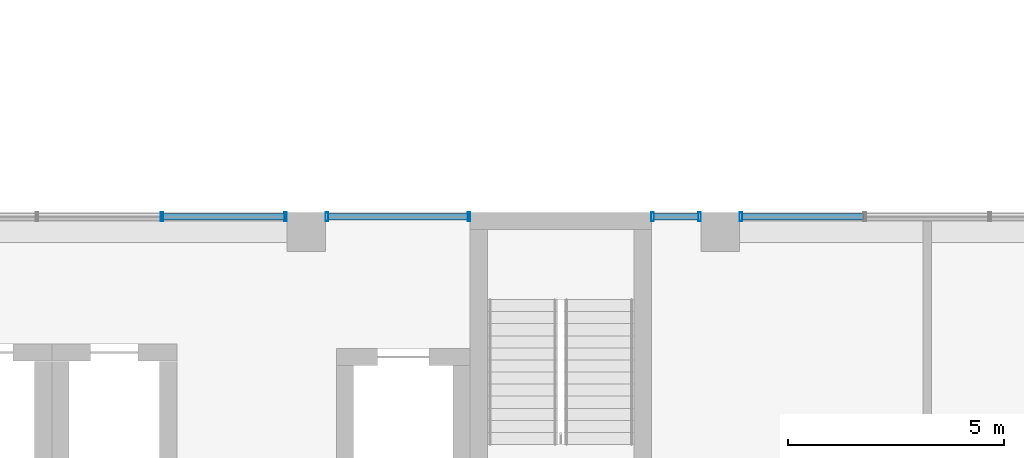
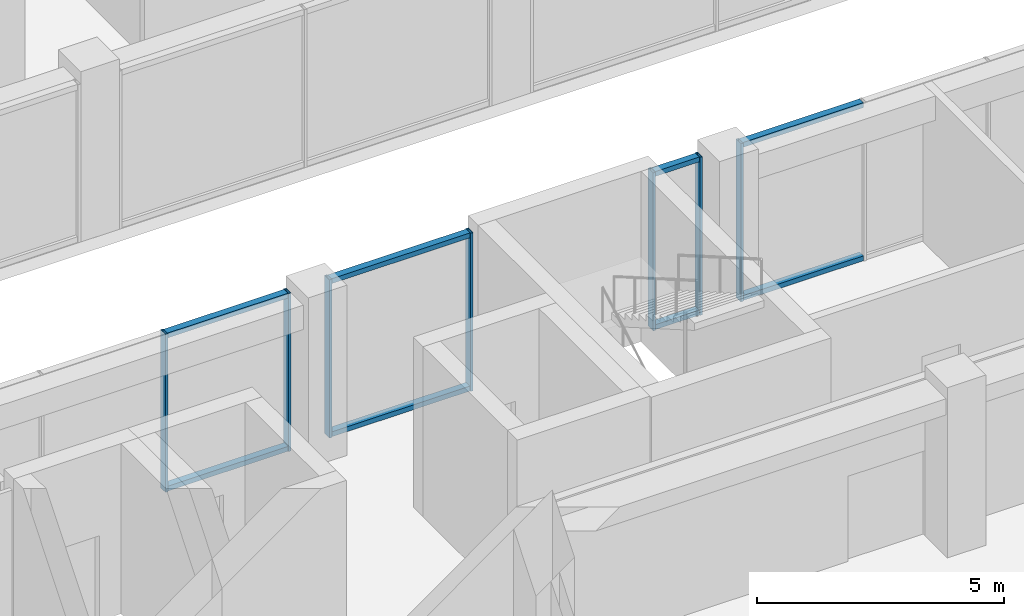
# One storey, part 9 of 37: 15 members, 4 elements without a shape of their own.
"""IFC4 building model written with IfcOpenShell, lengths in metres."""

from ifc_helpers import new_model, si_unit, direction, frame, origin, origin_2d, place, context, subcontext, project, spatial, hollow_rectangle, extrude, material, layer, layer_set, material_profile, profile_set, type_object, element, aggregate, save


model = new_model("IFC4")

# Units and contexts
model_context = context("Model", 3, precision=1e-05, world=origin(), true_north=direction((0.0, 1.0)))
body_context = subcontext(model_context, "Body", "Model", "MODEL_VIEW")
ifc_project = project(units=[si_unit("LENGTHUNIT", "METRE"), si_unit("AREAUNIT", "SQUARE_METRE"), si_unit("VOLUMEUNIT", "CUBIC_METRE"), si_unit("PLANEANGLEUNIT", "RADIAN"), si_unit("MASSUNIT", "GRAM", prefix="KILO")], contexts=[model_context])

# Site, building, storey
site_placement = place(None, origin())
site = spatial("IfcSite", under=ifc_project, at=site_placement, CompositionType="ELEMENT")
building_placement = place(site_placement, origin())
building = spatial("IfcBuilding", under=site, at=building_placement, Name="Nzadi Deep Aquarium and Research Tower", CompositionType="ELEMENT")
storey_placement = place(building_placement, frame((0.0, 0.0, 57.10009765625)))
storey = spatial("IfcBuildingStorey", under=building, at=storey_placement, Name="L11", CompositionType="ELEMENT", Elevation=57.10009765625)

# Curtain wall, members
ifc_material_1 = material(Name="Aluminium unitised frame", Category="aluminium")
ifc_layer = layer(ifc_material_1, 0.199951171875)
ifc_layer_set = layer_set([ifc_layer], Name="Aluminium unitised frame")
curtain_wall_type = type_object("IfcCurtainWallType", Name="Curtain wall Unitised 200", PredefinedType="NOTDEFINED", material=ifc_layer_set)
curtain_wall_1_placement = place(storey_placement, origin())
curtain_wall_1 = element("IfcCurtainWall", 1, at=curtain_wall_1_placement, inside=storey, type_object=curtain_wall_type, Name="Unitised curtain wall blade A north L11", PredefinedType="NOTDEFINED")
ifc_material_2 = material(Name="Aluminium unitised frame", Category="aluminium")
ifc_material_profile_1 = material_profile(ifc_material_2, hollow_rectangle(XDim=0.199951171875, YDim=0.06005859375, WallThickness=0.0048828125, at=origin_2d()))
ifc_profile_set_1 = profile_set([ifc_material_profile_1], Name="Aluminium unitised frame")
member_type_1 = type_object("IfcMemberType", Name="Mullion 60x200 Unitised", PredefinedType="MULLION", material=ifc_profile_set_1)
member_1_placement = place(storey_placement, frame((15.85009765625, 18.75, 0.0), z_axis=(0.0, 0.0, 1.0), x_axis=(0.0, 1.0, 0.0)))
member_1 = element("IfcMember", 2, at=member_1_placement, type_object=member_type_1, Name="CW045 mullion 3", PredefinedType="MULLION", context=body_context, shape_type="SweptSolid", body=[
    extrude(hollow_rectangle(XDim=0.199951171875, YDim=0.06005859375, WallThickness=0.0048828125, at=origin_2d()), origin(), (0.0, 0.0, 1.0), 3.89990234375),
])
member_2_placement = place(storey_placement, frame((18.719970703125, 18.75, 0.0), z_axis=(0.0, 0.0, 1.0), x_axis=(0.0, 1.0, 0.0)))
member_2 = element("IfcMember", 3, at=member_2_placement, type_object=member_type_1, Name="CW045 mullion 4", PredefinedType="MULLION", context=body_context, shape_type="SweptSolid", body=[
    extrude(hollow_rectangle(XDim=0.199951171875, YDim=0.06005859375, WallThickness=0.0048828125, at=origin_2d()), origin(), (0.0, 0.0, 1.0), 3.89990234375),
])

curtain_wall_2_placement = place(storey_placement, origin())
curtain_wall_2 = element("IfcCurtainWall", 4, at=curtain_wall_2_placement, inside=storey, type_object=curtain_wall_type, Name="Unitised curtain wall blade A north L11", PredefinedType="NOTDEFINED")
member_3_placement = place(storey_placement, frame((19.679931640625, 18.75, 0.0), z_axis=(0.0, 0.0, 1.0), x_axis=(0.0, 1.0, 0.0)))
member_3 = element("IfcMember", 5, at=member_3_placement, type_object=member_type_1, Name="CW046 mullion 1", PredefinedType="MULLION", context=body_context, shape_type="SweptSolid", body=[
    extrude(hollow_rectangle(XDim=0.199951171875, YDim=0.06005859375, WallThickness=0.0048828125, at=origin_2d()), origin(), (0.0, 0.0, 1.0), 3.89990234375),
])
member_4_placement = place(storey_placement, frame((22.969970703125, 18.75, 0.0), z_axis=(0.0, 0.0, 1.0), x_axis=(0.0, 1.0, 0.0)))
member_4 = element("IfcMember", 6, at=member_4_placement, type_object=member_type_1, Name="CW046 mullion 2", PredefinedType="MULLION", context=body_context, shape_type="SweptSolid", body=[
    extrude(hollow_rectangle(XDim=0.199951171875, YDim=0.06005859375, WallThickness=0.0048828125, at=origin_2d()), origin(), (0.0, 0.0, 1.0), 3.89990234375),
])

curtain_wall_3_placement = place(storey_placement, origin())
curtain_wall_3 = element("IfcCurtainWall", 7, at=curtain_wall_3_placement, inside=storey, type_object=curtain_wall_type, Name="Unitised curtain wall blade A north L11", PredefinedType="NOTDEFINED")
member_5_placement = place(storey_placement, frame((27.22998046875, 18.75, 0.0), z_axis=(0.0, 0.0, 1.0), x_axis=(0.0, 1.0, 0.0)))
member_5 = element("IfcMember", 8, at=member_5_placement, type_object=member_type_1, Name="CW047 mullion 1", PredefinedType="MULLION", context=body_context, shape_type="SweptSolid", body=[
    extrude(hollow_rectangle(XDim=0.199951171875, YDim=0.06005859375, WallThickness=0.0048828125, at=origin_2d()), origin(), (0.0, 0.0, 1.0), 3.89990234375),
])
member_6_placement = place(storey_placement, frame((28.320068359375, 18.75, 0.0), z_axis=(0.0, 0.0, 1.0), x_axis=(0.0, 1.0, 0.0)))
member_6 = element("IfcMember", 9, at=member_6_placement, type_object=member_type_1, Name="CW047 mullion 2", PredefinedType="MULLION", context=body_context, shape_type="SweptSolid", body=[
    extrude(hollow_rectangle(XDim=0.199951171875, YDim=0.06005859375, WallThickness=0.0048828125, at=origin_2d()), origin(), (0.0, 0.0, 1.0), 3.89990234375),
])

# Curtain wall, member
curtain_wall_4_placement = place(storey_placement, origin())
curtain_wall_4 = element("IfcCurtainWall", 10, at=curtain_wall_4_placement, inside=storey, type_object=curtain_wall_type, Name="Unitised curtain wall blade A north L11", PredefinedType="NOTDEFINED")
member_7_placement = place(storey_placement, frame((29.280029296875, 18.75, 0.0), z_axis=(0.0, 0.0, 1.0), x_axis=(0.0, 1.0, 0.0)))
member_7 = element("IfcMember", 11, at=member_7_placement, type_object=member_type_1, Name="CW048 mullion 1", PredefinedType="MULLION", context=body_context, shape_type="SweptSolid", body=[
    extrude(hollow_rectangle(XDim=0.199951171875, YDim=0.06005859375, WallThickness=0.0048828125, at=origin_2d()), origin(), (0.0, 0.0, 1.0), 3.89990234375),
])

# Member
ifc_material_3 = material(Name="Aluminium unitised frame", Category="aluminium")
ifc_material_profile_2 = material_profile(ifc_material_3, hollow_rectangle(XDim=0.159912109375, YDim=0.1201171875, WallThickness=0.0048828125, at=origin_2d()))
ifc_profile_set_2 = profile_set([ifc_material_profile_2], Name="Aluminium unitised frame")
member_type_2 = type_object("IfcMemberType", Name="Transom 120x160 Unitised", PredefinedType="MULLION", material=ifc_profile_set_2)
member_8_placement = place(storey_placement, frame((15.8798828125, 18.75, 0.059814453125), z_axis=(1.0, 0.0, 0.0), x_axis=(0.0, 1.0, 0.0)))
member_8 = element("IfcMember", 12, at=member_8_placement, type_object=member_type_2, Name="CW045 transom 3.1", PredefinedType="MULLION", context=body_context, shape_type="SweptSolid", body=[
    extrude(hollow_rectangle(XDim=0.159912109375, YDim=0.1201171875, WallThickness=0.0048828125, at=origin_2d()), origin(), (0.0, 0.0, 1.0), 2.81005859375),
])

member_9_placement = place(storey_placement, frame((15.8798828125, 18.75, 3.83984375), z_axis=(1.0, 0.0, 0.0), x_axis=(0.0, 1.0, 0.0)))
member_9 = element("IfcMember", 13, at=member_9_placement, type_object=member_type_2, Name="CW045 transom 3.2", PredefinedType="MULLION", context=body_context, shape_type="SweptSolid", body=[
    extrude(hollow_rectangle(XDim=0.159912109375, YDim=0.1201171875, WallThickness=0.0048828125, at=origin_2d()), origin(), (0.0, 0.0, 1.0), 2.81005859375),
])

aggregate(curtain_wall_1, [member_1, member_2, member_8, member_9])

member_10_placement = place(storey_placement, frame((19.7099609375, 18.75, 0.059814453125), z_axis=(1.0, 0.0, 0.0), x_axis=(0.0, 1.0, 0.0)))
member_10 = element("IfcMember", 14, at=member_10_placement, type_object=member_type_2, Name="CW046 transom 1.1", PredefinedType="MULLION", context=body_context, shape_type="SweptSolid", body=[
    extrude(hollow_rectangle(XDim=0.159912109375, YDim=0.1201171875, WallThickness=0.0048828125, at=origin_2d()), origin(), (0.0, 0.0, 1.0), 3.22998046875),
])

member_11_placement = place(storey_placement, frame((19.7099609375, 18.75, 3.83984375), z_axis=(1.0, 0.0, 0.0), x_axis=(0.0, 1.0, 0.0)))
member_11 = element("IfcMember", 15, at=member_11_placement, type_object=member_type_2, Name="CW046 transom 1.2", PredefinedType="MULLION", context=body_context, shape_type="SweptSolid", body=[
    extrude(hollow_rectangle(XDim=0.159912109375, YDim=0.1201171875, WallThickness=0.0048828125, at=origin_2d()), origin(), (0.0, 0.0, 1.0), 3.22998046875),
])

aggregate(curtain_wall_2, [member_3, member_4, member_10, member_11])

member_12_placement = place(storey_placement, frame((27.260009765625, 18.75, 0.059814453125), z_axis=(1.0, 0.0, 0.0), x_axis=(0.0, 1.0, 0.0)))
member_12 = element("IfcMember", 16, at=member_12_placement, type_object=member_type_2, Name="CW047 transom 1.1", PredefinedType="MULLION", context=body_context, shape_type="SweptSolid", body=[
    extrude(hollow_rectangle(XDim=0.159912109375, YDim=0.1201171875, WallThickness=0.0048828125, at=origin_2d()), origin(), (0.0, 0.0, 1.0), 1.030029296875),
])

member_13_placement = place(storey_placement, frame((27.260009765625, 18.75, 3.83984375), z_axis=(1.0, 0.0, 0.0), x_axis=(0.0, 1.0, 0.0)))
member_13 = element("IfcMember", 17, at=member_13_placement, type_object=member_type_2, Name="CW047 transom 1.2", PredefinedType="MULLION", context=body_context, shape_type="SweptSolid", body=[
    extrude(hollow_rectangle(XDim=0.159912109375, YDim=0.1201171875, WallThickness=0.0048828125, at=origin_2d()), origin(), (0.0, 0.0, 1.0), 1.030029296875),
])

aggregate(curtain_wall_3, [member_5, member_6, member_12, member_13])

member_14_placement = place(storey_placement, frame((29.31005859375, 18.75, 0.059814453125), z_axis=(1.0, 0.0, 0.0), x_axis=(0.0, 1.0, 0.0)))
member_14 = element("IfcMember", 18, at=member_14_placement, type_object=member_type_2, Name="CW048 transom 1.1", PredefinedType="MULLION", context=body_context, shape_type="SweptSolid", body=[
    extrude(hollow_rectangle(XDim=0.159912109375, YDim=0.1201171875, WallThickness=0.0048828125, at=origin_2d()), origin(), (0.0, 0.0, 1.0), 2.81005859375),
])

member_15_placement = place(storey_placement, frame((29.31005859375, 18.75, 3.83984375), z_axis=(1.0, 0.0, 0.0), x_axis=(0.0, 1.0, 0.0)))
member_15 = element("IfcMember", 19, at=member_15_placement, type_object=member_type_2, Name="CW048 transom 1.2", PredefinedType="MULLION", context=body_context, shape_type="SweptSolid", body=[
    extrude(hollow_rectangle(XDim=0.159912109375, YDim=0.1201171875, WallThickness=0.0048828125, at=origin_2d()), origin(), (0.0, 0.0, 1.0), 2.81005859375),
])

aggregate(curtain_wall_4, [member_7, member_14, member_15])

save(model, "model.ifc")
